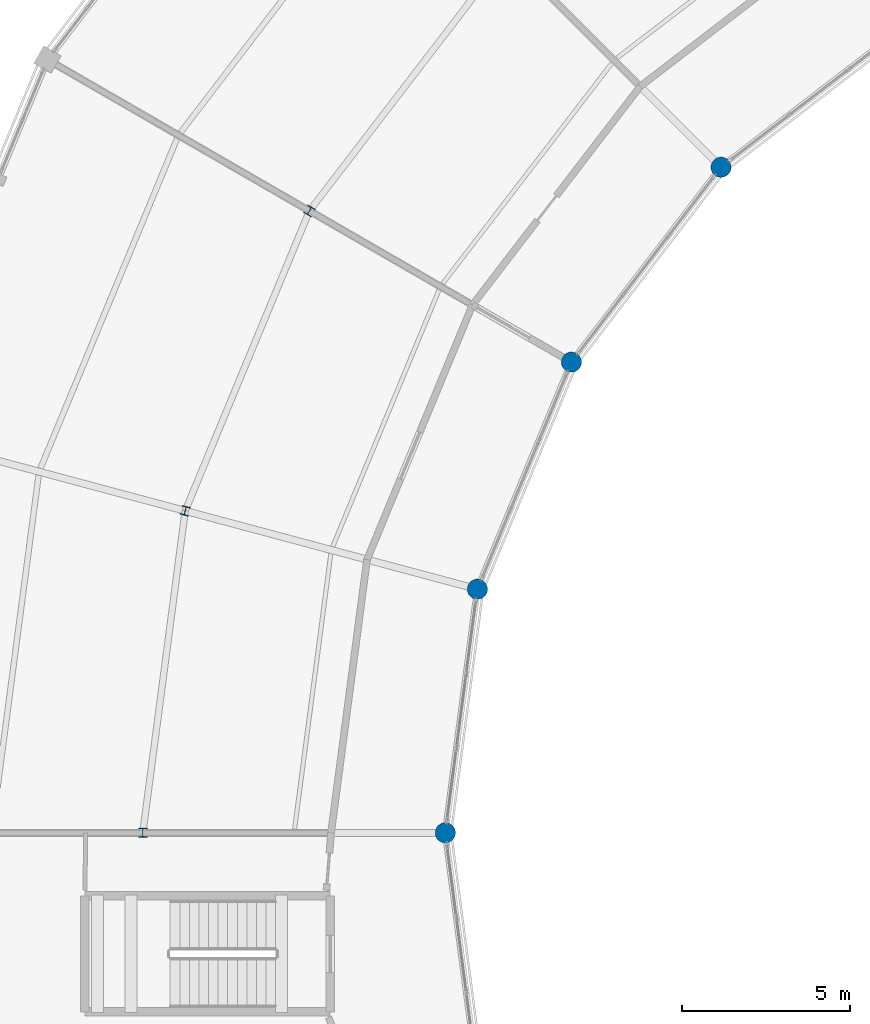
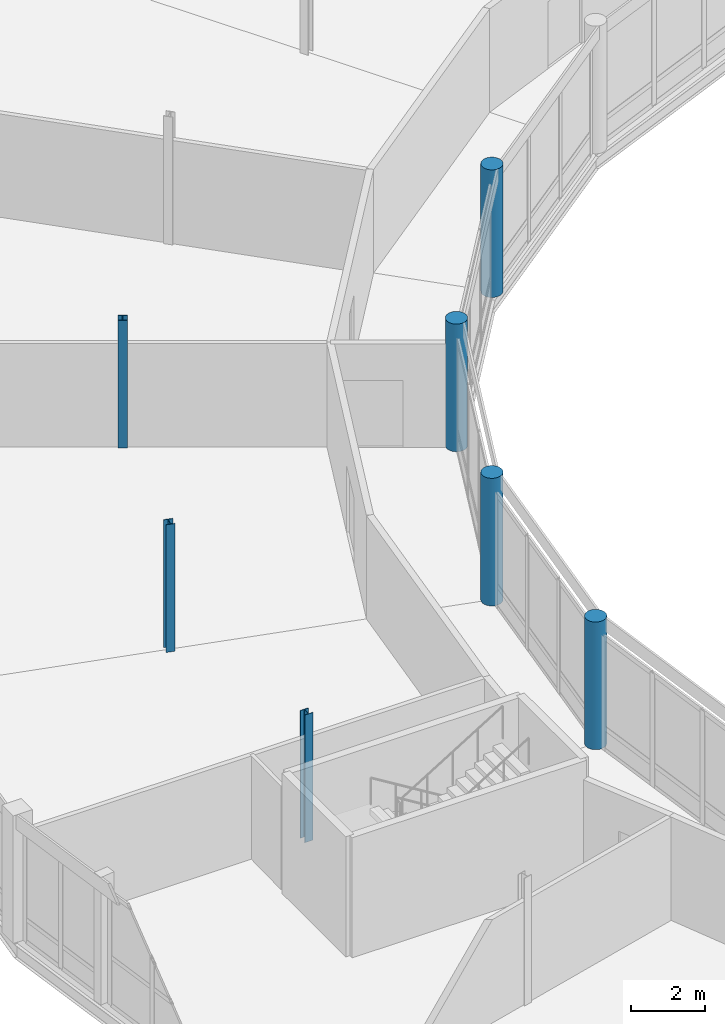
# One storey, part 10 of 185: 7 columns.
"""IFC4 building model written with IfcOpenShell, lengths in metres."""

from ifc_helpers import new_model, si_unit, direction, frame, origin, origin_2d, place, context, subcontext, project, spatial, circle, i_section, extrude, material, material_profile, profile_set, type_object, element, save


model = new_model("IFC4")

# Units and contexts
model_context = context("Model", 3, precision=1e-05, world=origin(), true_north=direction((0.0, 1.0)))
body_context = subcontext(model_context, "Body", "Model", "MODEL_VIEW")
ifc_project = project(units=[si_unit("LENGTHUNIT", "METRE"), si_unit("AREAUNIT", "SQUARE_METRE"), si_unit("VOLUMEUNIT", "CUBIC_METRE"), si_unit("PLANEANGLEUNIT", "RADIAN"), si_unit("MASSUNIT", "GRAM", prefix="KILO")], contexts=[model_context])

# Site, building, storey
site_placement = place(None, origin())
site = spatial("IfcSite", under=ifc_project, at=site_placement, CompositionType="ELEMENT")
building_placement = place(site_placement, origin())
building = spatial("IfcBuilding", under=site, at=building_placement, Name="Vondelvale Polytechnic", CompositionType="ELEMENT")
storey_placement = place(building_placement, frame((0.0, 0.0, 9.60009765625)))
storey = spatial("IfcBuildingStorey", under=building, at=storey_placement, Name="L02", CompositionType="ELEMENT", Elevation=9.60009765625)

# Columns
ifc_material_1 = material(Name="Concrete N50 (f'c = 50 MPa)", Category="concrete")
ifc_material_profile_1 = material_profile(ifc_material_1, circle(Radius=0.300048828125, at=origin_2d()), Name="RC-COL-D600")
ifc_profile_set_1 = profile_set([ifc_material_profile_1], Name="Concrete N50 (f'c = 50 MPa)")
column_type_1 = type_object("IfcColumnType", Name="COL-RCD600", PredefinedType="COLUMN", material=ifc_profile_set_1)
for number, where, z_axis, x_axis, name in (
    (1, (82.200927734375, 91.799072265625, 0.0), (0.0, 0.0, 1.0), (-0.707106781187, 0.707106781187, 0.0), "L02 courtyard ring column S09-RI"),
    (2, (77.751220703125, 86.0, 0.0), (0.0, 0.0, 1.0), (-0.866025403784, 0.5, 0.0), "L02 courtyard ring column S10-RI"),
    (3, (74.9541015625, 79.246826171875, 0.0), (0.0, 0.0, 1.0), (-0.965925826289, 0.258819045103, 0.0), "L02 courtyard ring column S11-RI"),
    (4, (74.0, 72.0, 0.0), (0.0, 0.0, 1.0), (1.0, 0.0, 0.0), "L02 courtyard ring column S12-RI"),
):
    element("IfcColumn", number, at=place(storey_placement, frame(where, z_axis=z_axis, x_axis=x_axis)), inside=storey, type_object=column_type_1, Name=name, PredefinedType="COLUMN", context=body_context, shape_type="SweptSolid", body=[
        extrude(circle(Radius=0.300048828125, at=origin_2d()), origin(), (0.0, 0.0, 1.0), 4.199951171875),
    ])
ifc_material_2 = material(Name="Steel 300PLUS (fy = 300 MPa)", Category="steel")
ifc_material_profile_2 = material_profile(ifc_material_2, i_section(OverallWidth=0.256103515625, OverallDepth=0.260009765625, WebThickness=0.010498046875, FlangeThickness=0.017333984375, FilletRadius=0.013916015625, at=origin_2d()), Name="250UC89.5")
ifc_profile_set_2 = profile_set([ifc_material_profile_2], Name="Steel 300PLUS (fy = 300 MPa)")
column_type_2 = type_object("IfcColumnType", Name="COL-UC250", PredefinedType="COLUMN", material=ifc_profile_set_2)
for number, where, z_axis, x_axis, name in (
    (5, (69.95703125, 90.5, 0.0), (0.0, 0.0, 1.0), (-0.866025403784, 0.5, 0.0), "L02 courtyard ring column S10-RM"),
    (6, (66.2607421875, 81.576416015625, 0.0), (0.0, 0.0, 1.0), (-0.965925826289, 0.258819045103, 0.0), "L02 courtyard ring column S11-RM"),
    (7, (65.0, 72.0, 0.0), (0.0, 0.0, 1.0), (1.0, 0.0, 0.0), "L02 courtyard ring column S12-RM"),
):
    element("IfcColumn", number, at=place(storey_placement, frame(where, z_axis=z_axis, x_axis=x_axis)), inside=storey, type_object=column_type_2, Name=name, PredefinedType="COLUMN", context=body_context, shape_type="SweptSolid", body=[
        extrude(i_section(OverallWidth=0.256103515625, OverallDepth=0.260009765625, WebThickness=0.010498046875, FlangeThickness=0.017333984375, FilletRadius=0.013916015625, at=origin_2d()), origin(), (0.0, 0.0, 1.0), 4.199951171875),
    ])

save(model, "model.ifc")
